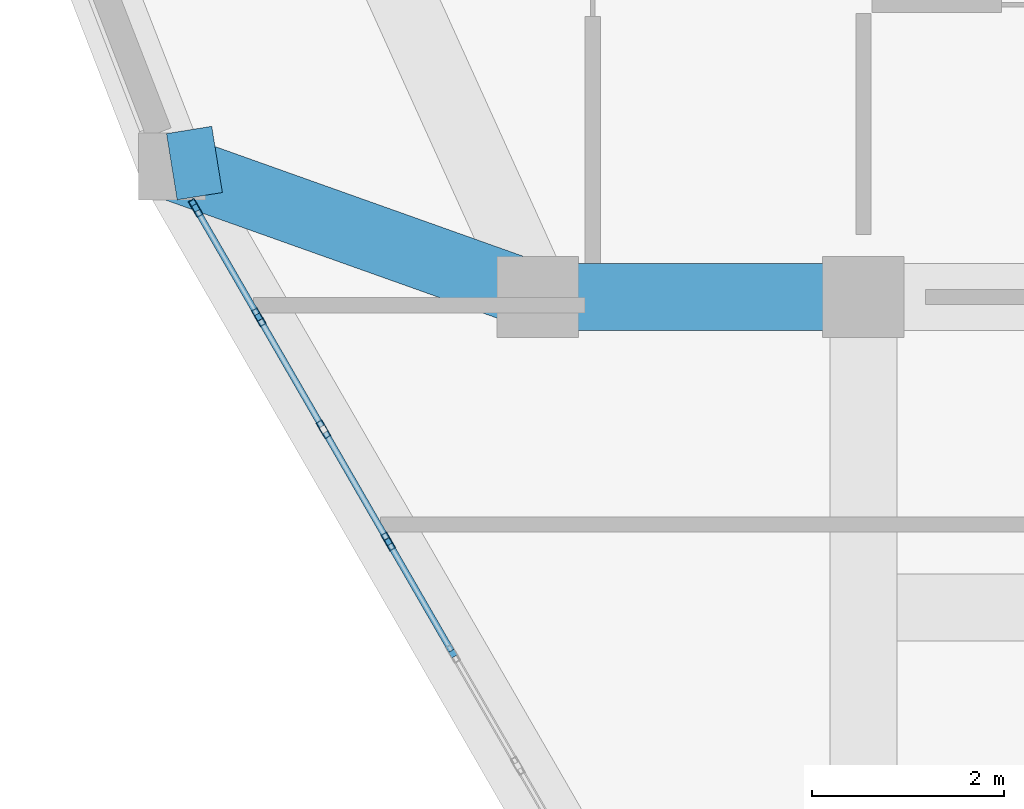
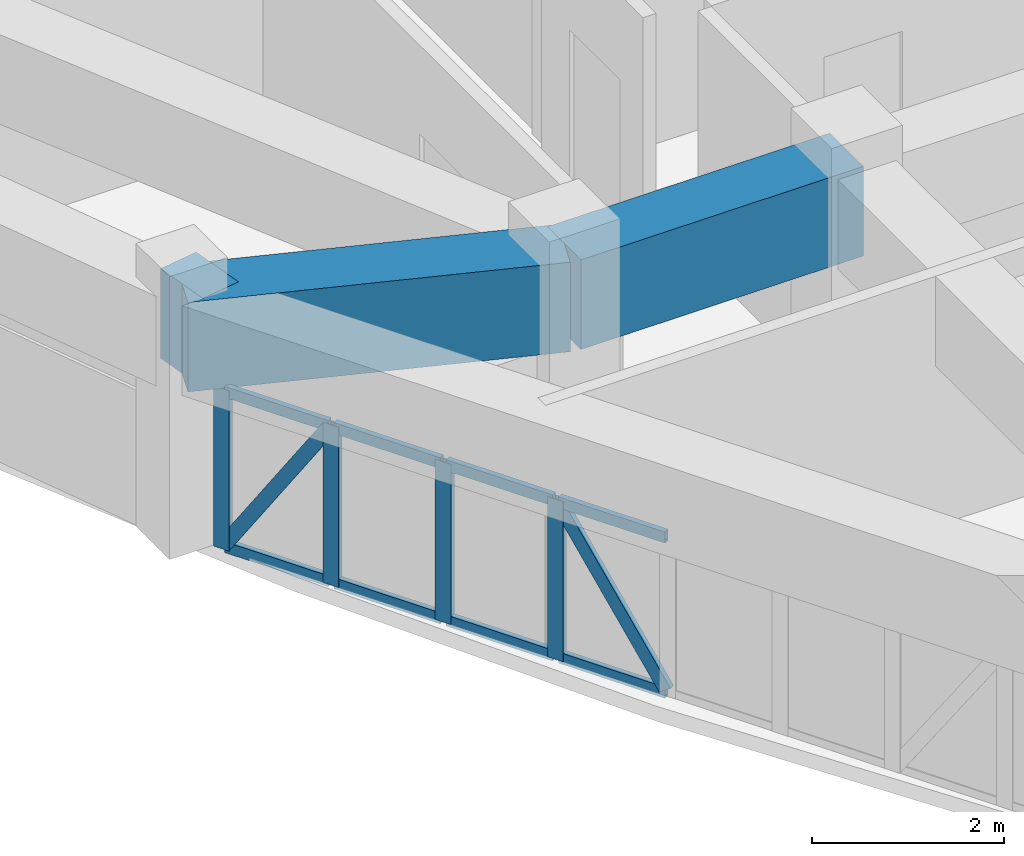
# One storey, part 5 of 14: 14 members, 3 beams, 1 element without a shape of its own.
"""IFC4 building model written with IfcOpenShell, lengths in metres."""

from ifc_helpers import new_model, si_unit, derived_unit, direction, frame, origin, origin_2d, place, context, subcontext, project, spatial, rectangle, hollow_rectangle, extrude, source, transform, mapped, material, layer, layer_set, material_profile, profile_set, type_object, element, aggregate, save


model = new_model("IFC4")

# Units and contexts
model_context = context("Model", 3, precision=1e-05, world=origin(), true_north=direction((0.0, 1.0)))
body_context = subcontext(model_context, "Body", "Model", "MODEL_VIEW")
ifc_project = project(units=[si_unit("LENGTHUNIT", "METRE"), si_unit("AREAUNIT", "SQUARE_METRE"), si_unit("VOLUMEUNIT", "CUBIC_METRE"), si_unit("PLANEANGLEUNIT", "RADIAN"), si_unit("MASSUNIT", "GRAM", prefix="KILO"), derived_unit("THERMALTRANSMITTANCEUNIT", [(si_unit("POWERUNIT", "WATT"), 1), (si_unit("LENGTHUNIT", "METRE"), -2), (si_unit("THERMODYNAMICTEMPERATUREUNIT", "KELVIN"), -1)])], contexts=[model_context])

# Site, building, storey
site_placement = place(None, origin())
site = spatial("IfcSite", under=ifc_project, at=site_placement, CompositionType="ELEMENT")
building_placement = place(site_placement, origin())
building = spatial("IfcBuilding", under=site, at=building_placement, Name="Korsvarv Bourse and Concert Hall", CompositionType="ELEMENT")
storey_placement = place(building_placement, frame((0.0, 0.0, 271.800048828125)))
storey = spatial("IfcBuildingStorey", under=building, at=storey_placement, Name="L71", CompositionType="ELEMENT", Elevation=271.800048828125)

# Beams
ifc_material_1 = material(Name="Concrete C50/60", Category="concrete")
ifc_material_profile_1 = material_profile(ifc_material_1, rectangle(XDim=0.699951171875, YDim=1.139892578125, at=origin_2d()), Name="RC-BM 700x1140")
ifc_profile_set_1 = profile_set([ifc_material_profile_1], Name="Concrete C50/60")
beam_type = type_object("IfcBeamType", Name="BM-TR-114", PredefinedType="BEAM", material=ifc_profile_set_1)
shared_shape_1 = source(origin(), body_context, "Body", "SweptSolid", [
    extrude(rectangle(XDim=0.699951171875, YDim=1.139892578125, at=origin_2d()), origin(), (0.0, 0.0, 1.0), 3.400146484375),
])
beam_1_placement = place(storey_placement, frame((24.199951171875, 32.39990234375, 2.60986328125), z_axis=(1.0, 0.0, 0.0), x_axis=(0.0, 1.0, 0.0)))
element("IfcBeam", 1, at=beam_1_placement, inside=storey, type_object=beam_type, Name="L71 beam B-TR5", PredefinedType="BEAM", context=body_context, shape_type="MappedRepresentation", body=[
    mapped(shared_shape_1, transform((0.0, 0.0, 0.0), scale=1.0)),
])
shared_shape_2 = source(origin(), body_context, "Body", "SweptSolid", [
    extrude(rectangle(XDim=0.699951171875, YDim=1.139892578125, at=origin_2d()), origin(), (0.0, 0.0, 1.0), 4.053955078125),
])
beam_2_placement = place(storey_placement, frame((20.380859375, 33.759765625, 2.60986328125), z_axis=(0.94206167273, -0.335439718539, 0.0), x_axis=(0.335439718539, 0.94206167273, 0.0)))
element("IfcBeam", 2, at=beam_2_placement, inside=storey, type_object=beam_type, Name="L71 beam B-TR5", PredefinedType="BEAM", context=body_context, shape_type="MappedRepresentation", body=[
    mapped(shared_shape_2, transform((0.0, 0.0, 0.0), scale=1.0)),
])
shared_shape_3 = source(origin(), body_context, "Body", "SweptSolid", [
    extrude(rectangle(XDim=0.699951171875, YDim=1.139892578125, at=origin_2d()), origin(), (0.0, 0.0, 1.0), 0.478271484375),
])
beam_3_placement = place(storey_placement, frame((20.380859375, 33.759765625, 2.60986328125), z_axis=(0.987316085206, 0.158766960961, 0.0), x_axis=(-0.158766960961, 0.987316085206, 0.0)))
element("IfcBeam", 3, at=beam_3_placement, inside=storey, type_object=beam_type, Name="L71 beam B-TR5", PredefinedType="BEAM", context=body_context, shape_type="MappedRepresentation", body=[
    mapped(shared_shape_3, transform((0.0, 0.0, 0.0), scale=1.0)),
])

# Curtain wall, members
ifc_material_2 = material(Name="Anodised aluminium and triple low-E glazing", Category="glass")
ifc_layer = layer(ifc_material_2, 0.199951171875)
ifc_layer_set = layer_set([ifc_layer], Name="Anodised aluminium and triple low-E glazing")
curtain_wall_type = type_object("IfcCurtainWallType", Name="CW-SYS-3", PredefinedType="NOTDEFINED", material=ifc_layer_set)
curtain_wall_placement = place(storey_placement, origin())
curtain_wall = element("IfcCurtainWall", 4, at=curtain_wall_placement, inside=storey, type_object=curtain_wall_type, Name="L71 CW3 curtain wall CW-L71-F07", PredefinedType="NOTDEFINED")
ifc_material_3 = material(Name="Extruded aluminium EN AW-6063 T66", Category="aluminium")
ifc_material_profile_2 = material_profile(ifc_material_3, hollow_rectangle(XDim=0.070068359375, YDim=0.18994140625, WallThickness=0.0048828125, at=origin_2d()), Name="ALU-M 70x190")
ifc_profile_set_2 = profile_set([ifc_material_profile_2], Name="Extruded aluminium EN AW-6063 T66")
member_type_1 = type_object("IfcMemberType", Name="CWM-190", PredefinedType="MULLION", material=ifc_profile_set_2)
shared_shape_4 = source(origin(), body_context, "Body", "SweptSolid", [
    extrude(hollow_rectangle(XDim=0.070068359375, YDim=0.18994140625, WallThickness=0.0048828125, at=origin_2d()), origin(), (0.0, 0.0, 1.0), 2.0400390625),
])
member_1_placement = place(storey_placement, frame((20.629150390625, 33.32958984375, 0.0), z_axis=(0.0, 0.0, 1.0), x_axis=(0.866022834448, 0.500004450195, 0.0)))
member_1 = element("IfcMember", 5, at=member_1_placement, type_object=member_type_1, Name="CW3 mullion 1", PredefinedType="MULLION", context=body_context, shape_type="MappedRepresentation", body=[
    mapped(shared_shape_4, transform((0.0, 0.0, 0.0), scale=1.0)),
])
member_2_placement = place(storey_placement, frame((21.28759765625, 32.18896484375, 0.0), z_axis=(0.0, 0.0, 1.0), x_axis=(0.866022834448, 0.500004450195, 0.0)))
member_2 = element("IfcMember", 6, at=member_2_placement, type_object=member_type_1, Name="CW3 mullion 2", PredefinedType="MULLION", context=body_context, shape_type="MappedRepresentation", body=[
    mapped(shared_shape_4, transform((0.0, 0.0, 0.0), scale=1.0)),
])
member_3_placement = place(storey_placement, frame((21.963623046875, 31.018310546875, 0.0), z_axis=(0.0, 0.0, 1.0), x_axis=(0.866022834448, 0.500004450195, 0.0)))
member_3 = element("IfcMember", 7, at=member_3_placement, type_object=member_type_1, Name="CW3 mullion 3", PredefinedType="MULLION", context=body_context, shape_type="MappedRepresentation", body=[
    mapped(shared_shape_4, transform((0.0, 0.0, 0.0), scale=1.0)),
])
member_4_placement = place(storey_placement, frame((22.6396484375, 29.847412109375, 0.0), z_axis=(0.0, 0.0, 1.0), x_axis=(0.866022834448, 0.500004450195, 0.0)))
member_4 = element("IfcMember", 8, at=member_4_placement, type_object=member_type_1, Name="CW3 mullion 4", PredefinedType="MULLION", context=body_context, shape_type="MappedRepresentation", body=[
    mapped(shared_shape_4, transform((0.0, 0.0, 0.0), scale=1.0)),
])
ifc_material_profile_3 = material_profile(ifc_material_3, hollow_rectangle(XDim=0.06494140625, YDim=0.139892578125, WallThickness=0.00390625, at=origin_2d()), Name="ALU-T 65x140")
ifc_profile_set_3 = profile_set([ifc_material_profile_3], Name="Extruded aluminium EN AW-6063 T66")
member_type_2 = type_object("IfcMemberType", Name="CWT-140", PredefinedType="USERDEFINED", material=ifc_profile_set_3)
shared_shape_5 = source(origin(), body_context, "Body", "SweptSolid", [
    extrude(hollow_rectangle(XDim=0.06494140625, YDim=0.139892578125, WallThickness=0.00390625, at=origin_2d()), origin(), (0.0, 0.0, 1.0), 1.246826171875),
])
member_5_placement = place(storey_placement, frame((20.646728515625, 33.299072265625, 0.032470703125), z_axis=(0.500055764683, -0.865993205636, 0.0), x_axis=(0.865993205636, 0.500055764683, 0.0)))
member_5 = element("IfcMember", 9, at=member_5_placement, type_object=member_type_2, Name="CW3 transom 1.1", ObjectType="TRANSOM", PredefinedType="USERDEFINED", context=body_context, shape_type="MappedRepresentation", body=[
    mapped(shared_shape_5, transform((0.0, 0.0, 0.0), scale=1.0)),
])
member_6_placement = place(storey_placement, frame((20.646728515625, 33.299072265625, 2.007568359375), z_axis=(0.500055764683, -0.865993205636, 0.0), x_axis=(0.865993205636, 0.500055764683, 0.0)))
member_6 = element("IfcMember", 10, at=member_6_placement, type_object=member_type_2, Name="CW3 transom 1.2", ObjectType="TRANSOM", PredefinedType="USERDEFINED", context=body_context, shape_type="MappedRepresentation", body=[
    mapped(shared_shape_5, transform((0.0, 0.0, 0.0), scale=1.0)),
])
ifc_material_profile_4 = material_profile(ifc_material_3, hollow_rectangle(XDim=0.06494140625, YDim=0.1650390625, WallThickness=0.0048828125, at=origin_2d()), Name="ALU-M 65x165")
ifc_profile_set_4 = profile_set([ifc_material_profile_4], Name="Extruded aluminium EN AW-6063 T66")
member_type_3 = type_object("IfcMemberType", Name="CWM-165", PredefinedType="MULLION", material=ifc_profile_set_4)
shared_shape_6 = source(origin(), body_context, "Body", "SweptSolid", [
    extrude(hollow_rectangle(XDim=0.06494140625, YDim=0.1650390625, WallThickness=0.0048828125, at=origin_2d()), origin(), (0.0, 0.0, 1.0), 2.281005859375),
])
member_7_placement = place(storey_placement, frame((20.646728515625, 33.299072265625, 0.06494140625), z_axis=(0.273369873576, -0.47342010604, 0.837342412289), x_axis=(0.865993205636, 0.500055764683, 0.0)))
member_7 = element("IfcMember", 11, at=member_7_placement, type_object=member_type_3, Name="CW3 diagonal mullion 1", PredefinedType="MULLION", context=body_context, shape_type="MappedRepresentation", body=[
    mapped(shared_shape_6, transform((0.0, 0.0, 0.0), scale=1.0)),
])
shared_shape_7 = source(origin(), body_context, "Body", "SweptSolid", [
    extrude(hollow_rectangle(XDim=0.06494140625, YDim=0.139892578125, WallThickness=0.00390625, at=origin_2d()), origin(), (0.0, 0.0, 1.0), 1.28173828125),
])
member_8_placement = place(storey_placement, frame((21.30517578125, 32.15869140625, 0.032470703125), z_axis=(0.49996976238, -0.866042860778, 0.0), x_axis=(0.866042860778, 0.49996976238, 0.0)))
member_8 = element("IfcMember", 12, at=member_8_placement, type_object=member_type_2, Name="CW3 transom 2.1", ObjectType="TRANSOM", PredefinedType="USERDEFINED", context=body_context, shape_type="MappedRepresentation", body=[
    mapped(shared_shape_7, transform((0.0, 0.0, 0.0), scale=1.0)),
])
member_9_placement = place(storey_placement, frame((21.30517578125, 32.15869140625, 2.007568359375), z_axis=(0.49996976238, -0.866042860778, 0.0), x_axis=(0.866042860778, 0.49996976238, 0.0)))
member_9 = element("IfcMember", 13, at=member_9_placement, type_object=member_type_2, Name="CW3 transom 2.2", ObjectType="TRANSOM", PredefinedType="USERDEFINED", context=body_context, shape_type="MappedRepresentation", body=[
    mapped(shared_shape_7, transform((0.0, 0.0, 0.0), scale=1.0)),
])
member_10_placement = place(storey_placement, frame((21.981201171875, 30.98779296875, 0.032470703125), z_axis=(0.49996976238, -0.866042860778, 0.0), x_axis=(0.866042860778, 0.49996976238, 0.0)))
member_10 = element("IfcMember", 14, at=member_10_placement, type_object=member_type_2, Name="CW3 transom 3.1", ObjectType="TRANSOM", PredefinedType="USERDEFINED", context=body_context, shape_type="MappedRepresentation", body=[
    mapped(shared_shape_7, transform((0.0, 0.0, 0.0), scale=1.0)),
])
member_11_placement = place(storey_placement, frame((21.981201171875, 30.98779296875, 2.007568359375), z_axis=(0.49996976238, -0.866042860778, 0.0), x_axis=(0.866042860778, 0.49996976238, 0.0)))
member_11 = element("IfcMember", 15, at=member_11_placement, type_object=member_type_2, Name="CW3 transom 3.2", ObjectType="TRANSOM", PredefinedType="USERDEFINED", context=body_context, shape_type="MappedRepresentation", body=[
    mapped(shared_shape_7, transform((0.0, 0.0, 0.0), scale=1.0)),
])
shared_shape_8 = source(origin(), body_context, "Body", "SweptSolid", [
    extrude(hollow_rectangle(XDim=0.06494140625, YDim=0.139892578125, WallThickness=0.00390625, at=origin_2d()), origin(), (0.0, 0.0, 1.0), 1.281982421875),
])
member_12_placement = place(storey_placement, frame((22.656982421875, 29.817138671875, 0.032470703125), z_axis=(0.500112596238, -0.865960386556, 0.0), x_axis=(0.865960386556, 0.500112596238, 0.0)))
member_12 = element("IfcMember", 16, at=member_12_placement, type_object=member_type_2, Name="CW3 transom 4.1", ObjectType="TRANSOM", PredefinedType="USERDEFINED", context=body_context, shape_type="MappedRepresentation", body=[
    mapped(shared_shape_8, transform((0.0, 0.0, 0.0), scale=1.0)),
])
member_13_placement = place(storey_placement, frame((22.656982421875, 29.817138671875, 2.007568359375), z_axis=(0.500112596238, -0.865960386556, 0.0), x_axis=(0.865960386556, 0.500112596238, 0.0)))
member_13 = element("IfcMember", 17, at=member_13_placement, type_object=member_type_2, Name="CW3 transom 4.2", ObjectType="TRANSOM", PredefinedType="USERDEFINED", context=body_context, shape_type="MappedRepresentation", body=[
    mapped(shared_shape_8, transform((0.0, 0.0, 0.0), scale=1.0)),
])
shared_shape_9 = source(origin(), body_context, "Body", "SweptSolid", [
    extrude(hollow_rectangle(XDim=0.06494140625, YDim=0.1650390625, WallThickness=0.0048828125, at=origin_2d()), origin(), (0.0, 0.0, 1.0), 2.30029296875),
])
member_14_placement = place(storey_placement, frame((23.298095703125, 28.70703125, 0.06494140625), z_axis=(-0.27871516475, 0.482603904844, 0.83030797176), x_axis=(-0.865960386556, -0.500112596238, 0.0)))
member_14 = element("IfcMember", 18, at=member_14_placement, type_object=member_type_3, Name="CW3 diagonal mullion 4", PredefinedType="MULLION", context=body_context, shape_type="MappedRepresentation", body=[
    mapped(shared_shape_9, transform((0.0, 0.0, 0.0), scale=1.0)),
])
aggregate(curtain_wall, [member_1, member_2, member_3, member_4, member_5, member_6, member_7, member_8, member_9, member_10, member_11, member_12, member_13, member_14])

save(model, "model.ifc")
